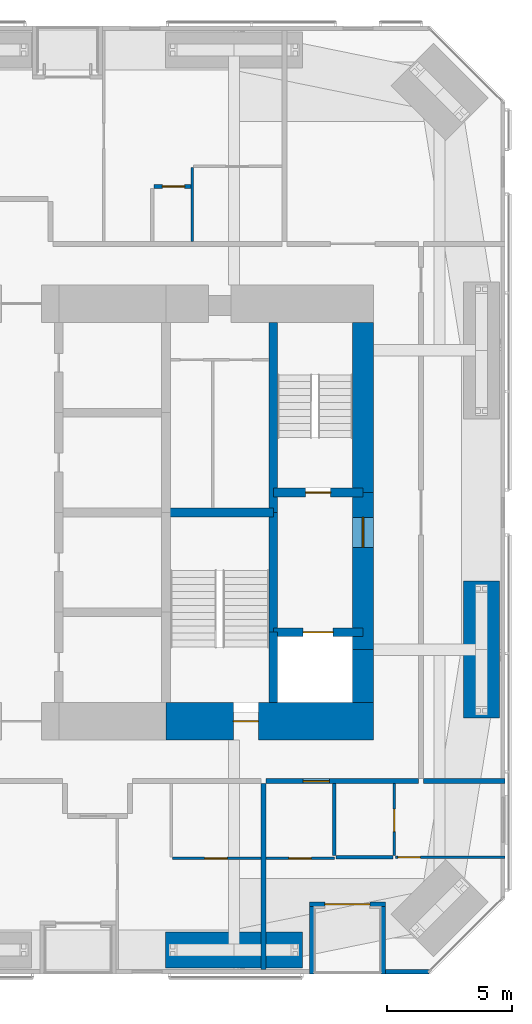
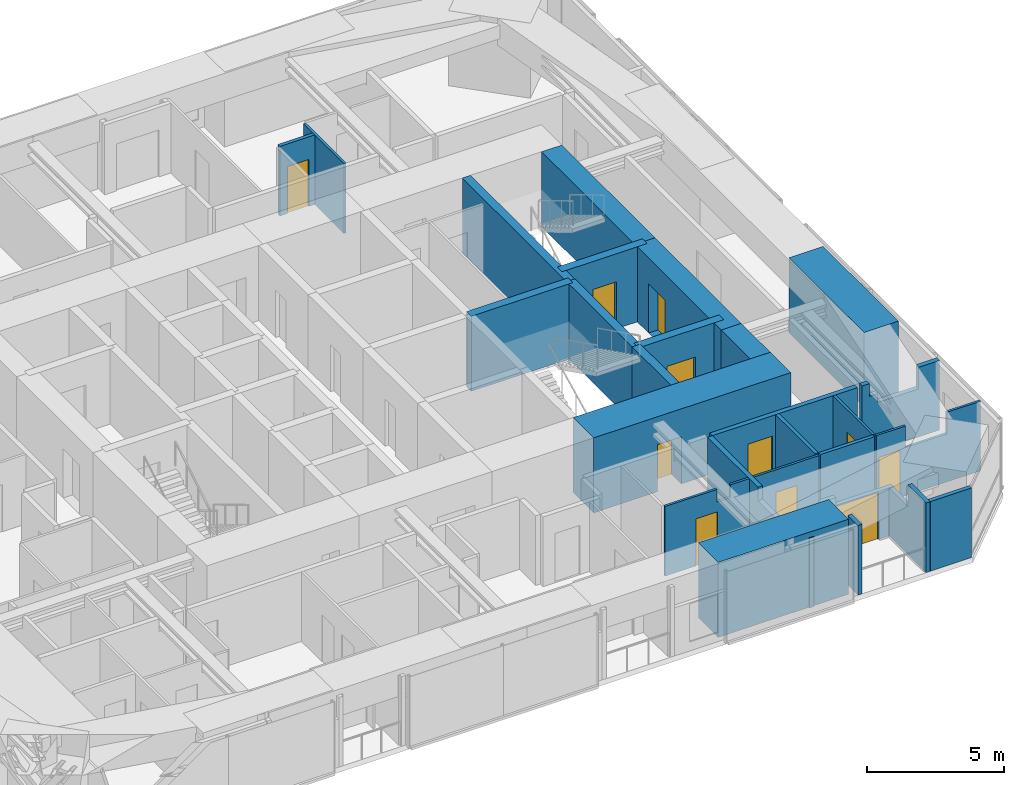
# One storey, part 20 of 23: 28 walls, 11 doors, 11 openings.
"""IFC4 building model written with IfcOpenShell, lengths in metres."""

from ifc_helpers import new_model, si_unit, direction, frame, frame_2d, origin, place, context, subcontext, project, spatial, polyline, rectangle, outline, extrude, material, layer, layer_set, constituent, constituent_set, type_object, element, fill, save


model = new_model("IFC4")

# Units and contexts
model_context = context("Model", 3, precision=1e-05, world=origin(), true_north=direction((0.0, 1.0)))
body_context = subcontext(model_context, "Body", "Model", "MODEL_VIEW")
ifc_project = project(units=[si_unit("LENGTHUNIT", "METRE"), si_unit("AREAUNIT", "SQUARE_METRE"), si_unit("VOLUMEUNIT", "CUBIC_METRE"), si_unit("PLANEANGLEUNIT", "RADIAN"), si_unit("MASSUNIT", "GRAM", prefix="KILO")], contexts=[model_context])

# Site, building, storey
site_placement = place(None, origin())
site = spatial("IfcSite", under=ifc_project, at=site_placement, CompositionType="ELEMENT")
building_placement = place(site_placement, origin())
building = spatial("IfcBuilding", under=site, at=building_placement, Name="Jalousie Tower", CompositionType="ELEMENT")
storey_placement = place(building_placement, frame((0.0, 0.0, 108.199951171875)))
storey = spatial("IfcBuildingStorey", under=building, at=storey_placement, Name="L29", CompositionType="ELEMENT", Elevation=108.199951171875)

# Walls
ifc_material_1 = material(Name="Concrete block ASTM C90", Category="concrete")
ifc_constituent_1 = constituent(ifc_material_1, Name="Body")
ifc_material_2 = material(Name="Render")
ifc_constituent_2 = constituent(ifc_material_2, Name="Finish")
ifc_constituent_set_1 = constituent_set(constituents=[ifc_constituent_1, ifc_constituent_2])
wall_type_1 = type_object("IfcWallType", Name="BATHROOM WALL 150", PredefinedType="PLUMBINGWALL", material=ifc_constituent_set_1)
wall_1_placement = place(storey_placement, frame((42.72509765625, 4.67578125, 0.0), z_axis=(0.0, 0.0, 1.0), x_axis=(1.0, 0.0, 0.0)))
element("IfcWall", 1, at=wall_1_placement, inside=storey, type_object=wall_type_1, Name="Bathroom Wall 150 L29", PredefinedType="PLUMBINGWALL", context=body_context, shape_type="SweptSolid", body=[
    extrude(rectangle(XDim=2.27490234375, YDim=0.14990234375, at=frame_2d((1.137451171875, 0.0))), origin(), (0.0, 0.0, 1.0), 3.110107421875),
])
wall_2_placement = place(storey_placement, frame((42.64990234375, 4.7509765625, 0.0), z_axis=(0.0, 0.0, 1.0), x_axis=(0.0, 1.0, 0.0)))
element("IfcWall", 2, at=wall_2_placement, inside=storey, type_object=wall_type_1, Name="Bathroom Wall 150 L29", PredefinedType="PLUMBINGWALL", context=body_context, shape_type="SweptSolid", body=[
    extrude(rectangle(XDim=2.8740234375, YDim=0.14990234375, at=frame_2d((1.43701171875, 0.0))), origin(), (0.0, 0.0, 1.0), 3.110107421875),
])

# Wall, opening, door
wall_3_placement = place(storey_placement, frame((35.425048828125, 31.574951171875, 0.0), z_axis=(0.0, 0.0, 1.0), x_axis=(1.0, 0.0, 0.0)))
wall_3 = element("IfcWall", 3, at=wall_3_placement, inside=storey, type_object=wall_type_1, Name="Bathroom Wall 150 L29", PredefinedType="PLUMBINGWALL", context=body_context, shape_type="SweptSolid", body=[
    extrude(rectangle(XDim=1.474853515625, YDim=0.14990234375, at=frame_2d((0.7373046875, 0.0))), origin(), (0.0, 0.0, 1.0), 3.110107421875),
])
opening_1_placement = place(wall_3_placement, frame((0.324951171875, 0.0, 0.0)))
opening_1 = element("IfcOpeningElement", 4, at=opening_1_placement, cuts=wall_3, Name="Opening D7", PredefinedType="OPENING", context=body_context, shape_type="SweptSolid", body=[
    extrude(rectangle(XDim=0.89990234375, YDim=2.10009765625, at=frame_2d((0.449951171875, 1.050048828125))), frame((0.0, 0.0849609375, 0.0), z_axis=(0.0, -1.0, 0.0), x_axis=(1.0, 0.0, 0.0)), (0.0, 0.0, 1.0), 0.169921875),
])
ifc_material_3 = material(Name="Timber door", Category="wood")
door_type_1 = type_object("IfcDoorType", Name="INTERNAL DOOR 900", OperationType="SINGLE_SWING_LEFT", PredefinedType="DOOR", material=ifc_material_3)
door_1_placement = place(opening_1_placement, frame((0.89990234375, 0.0, 0.0), z_axis=(0.0, 0.0, 1.0), x_axis=(-1.0, 0.0, 0.0)))
door_1 = element("IfcDoor", 5, at=door_1_placement, inside=storey, type_object=door_type_1, Name="Apartment 2904 guest WC door", OperationType="SINGLE_SWING_LEFT", OverallHeight=2.10009765625, OverallWidth=0.89990234375, PredefinedType="DOOR", context=body_context, shape_type="SweptSolid", body=[
    extrude(rectangle(XDim=0.89990234375, YDim=2.10009765625, at=frame_2d((0.449951171875, 1.050048828125))), frame((0.0, 0.02490234375, 0.0), z_axis=(0.0, -1.0, 0.0), x_axis=(1.0, 0.0, 0.0)), (0.0, 0.0, 1.0), 0.050048828125),
])
fill(opening_1, door_1)

ifc_material_4 = material(Name="Concrete f'c 120 MPa", Category="concrete")
ifc_layer_1 = layer(ifc_material_4, 1.5)
ifc_layer_set_1 = layer_set([ifc_layer_1], Name="Concrete f'c 120 MPa")
wall_type_2 = type_object("IfcWallType", Name="CORE WALL 1500", PredefinedType="SHEAR", material=ifc_layer_set_1)
wall_4_placement = place(storey_placement, frame((35.89990234375, 10.125, 0.0), z_axis=(0.0, 0.0, 1.0), x_axis=(1.0, 0.0, 0.0)))
wall_4 = element("IfcWall", 6, at=wall_4_placement, inside=storey, type_object=wall_type_2, Name="Core wall SD L29", PredefinedType="SHEAR", context=body_context, shape_type="SweptSolid", body=[
    extrude(rectangle(XDim=8.3251953125, YDim=1.5, at=frame_2d((4.16259765625, 0.0))), origin(), (0.0, 0.0, 1.0), 3.35009765625),
])
opening_2_placement = place(wall_4_placement, frame((2.699951171875, 0.0, 0.0)))
opening_2 = element("IfcOpeningElement", 7, at=opening_2_placement, cuts=wall_4, Name="Opening D10", PredefinedType="OPENING", context=body_context, shape_type="SweptSolid", body=[
    extrude(rectangle(XDim=1.0, YDim=2.10009765625, at=frame_2d((0.5, 1.050048828125))), frame((0.0, 0.760009765625, 0.0), z_axis=(0.0, -1.0, 0.0), x_axis=(1.0, 0.0, 0.0)), (0.0, 0.0, 1.0), 1.52001953125),
])
ifc_material_5 = material(Name="Steel fire door", Category="steel")
door_type_2 = type_object("IfcDoorType", Name="STAIR DOOR 1000", OperationType="SINGLE_SWING_LEFT", PredefinedType="DOOR", material=ifc_material_5)
door_2_placement = place(opening_2_placement, origin())
door_2 = element("IfcDoor", 8, at=door_2_placement, inside=storey, type_object=door_type_2, Name="Exit stair C door", OperationType="SINGLE_SWING_RIGHT", OverallHeight=2.10009765625, OverallWidth=1.0, PredefinedType="DOOR", context=body_context, shape_type="SweptSolid", body=[
    extrude(rectangle(XDim=1.0, YDim=2.10009765625, at=frame_2d((0.5, 1.050048828125))), frame((0.0, 0.02490234375, 0.0), z_axis=(0.0, -1.0, 0.0), x_axis=(1.0, 0.0, 0.0)), (0.0, 0.0, 1.0), 0.050048828125),
])
fill(opening_2, door_2)

# Walls
ifc_material_6 = material(Name="Concrete f'c 120 MPa", Category="concrete")
ifc_layer_2 = layer(ifc_material_6, 0.35009765625)
ifc_layer_set_2 = layer_set([ifc_layer_2], Name="Concrete f'c 120 MPa")
wall_type_3 = type_object("IfcWallType", Name="CORE WALL 350", PredefinedType="SHEAR", material=ifc_layer_set_2)
wall_5_placement = place(storey_placement, frame((40.199951171875, 10.875, 0.0), z_axis=(0.0, 0.0, 1.0), x_axis=(0.0, 1.0, 0.0)))
element("IfcWall", 9, at=wall_5_placement, inside=storey, type_object=wall_type_3, Name="Core wall X40.2A L29", PredefinedType="SHEAR", context=body_context, shape_type="SweptSolid", body=[
    extrude(rectangle(XDim=2.824951171875, YDim=0.35009765625, at=frame_2d((1.41259765625, 0.0))), origin(), (0.0, 0.0, 1.0), 3.35009765625),
])
wall_6_placement = place(storey_placement, frame((40.199951171875, 13.699951171875, 0.0), z_axis=(0.0, 0.0, 1.0), x_axis=(0.0, 1.0, 0.0)))
element("IfcWall", 10, at=wall_6_placement, inside=storey, type_object=wall_type_3, Name="Core wall X40.2B L29", PredefinedType="SHEAR", context=body_context, shape_type="SweptSolid", body=[
    extrude(rectangle(XDim=4.800048828125, YDim=0.35009765625, at=frame_2d((2.39990234375, 0.0))), origin(), (0.0, 0.0, 1.0), 3.35009765625),
])
wall_7_placement = place(storey_placement, frame((40.199951171875, 18.5, 0.0), z_axis=(0.0, 0.0, 1.0), x_axis=(0.0, 1.0, 0.0)))
element("IfcWall", 11, at=wall_7_placement, inside=storey, type_object=wall_type_3, Name="Core wall X40.2C L29", PredefinedType="SHEAR", context=body_context, shape_type="SweptSolid", body=[
    extrude(rectangle(XDim=7.625, YDim=0.35009765625, at=frame_2d((3.8125, 0.0))), origin(), (0.0, 0.0, 1.0), 3.35009765625),
])
wall_8_placement = place(storey_placement, frame((35.89990234375, 18.5, 0.0), z_axis=(0.0, 0.0, 1.0), x_axis=(1.0, 0.0, 0.0)))
element("IfcWall", 12, at=wall_8_placement, inside=storey, type_object=wall_type_3, Name="Core wall Y35.9-18.5 L29", PredefinedType="SHEAR", context=body_context, shape_type="SweptSolid", body=[
    extrude(rectangle(XDim=4.300048828125, YDim=0.35009765625, at=frame_2d((2.14990234375, 0.0))), origin(), (0.0, 0.0, 1.0), 3.35009765625),
])

# Wall, opening, door
wall_9_placement = place(storey_placement, frame((40.199951171875, 13.699951171875, 0.0), z_axis=(0.0, 0.0, 1.0), x_axis=(1.0, 0.0, 0.0)))
wall_9 = element("IfcWall", 13, at=wall_9_placement, inside=storey, type_object=wall_type_3, Name="Core wall Y40.2-13.7 L29", PredefinedType="SHEAR", context=body_context, shape_type="SweptSolid", body=[
    extrude(rectangle(XDim=3.60009765625, YDim=0.35009765625, at=frame_2d((1.800048828125, 0.0))), origin(), (0.0, 0.0, 1.0), 3.35009765625),
])
opening_3_placement = place(wall_9_placement, frame((1.199951171875, 0.0, 0.0)))
opening_3 = element("IfcOpeningElement", 14, at=opening_3_placement, cuts=wall_9, Name="Opening LD2", PredefinedType="OPENING", context=body_context, shape_type="SweptSolid", body=[
    extrude(rectangle(XDim=1.199951171875, YDim=2.10009765625, at=frame_2d((0.60009765625, 1.050048828125))), frame((0.0, 0.18505859375, 0.0), z_axis=(0.0, -1.0, 0.0), x_axis=(1.0, 0.0, 0.0)), (0.0, 0.0, 1.0), 0.3701171875),
])
ifc_material_7 = material(Name="Steel lift landing door", Category="steel")
door_type_3 = type_object("IfcDoorType", Name="LIFT LANDING DOOR 1200", OperationType="SLIDING_TO_LEFT", PredefinedType="DOOR", material=ifc_material_7)
door_3_placement = place(opening_3_placement, origin())
door_3 = element("IfcDoor", 15, at=door_3_placement, inside=storey, type_object=door_type_3, Name="Lift F2 landing door", OperationType="SLIDING_TO_LEFT", OverallHeight=2.10009765625, OverallWidth=1.199951171875, PredefinedType="DOOR", context=body_context, shape_type="SweptSolid", body=[
    extrude(rectangle(XDim=1.199951171875, YDim=2.10009765625, at=frame_2d((0.60009765625, 1.050048828125))), frame((0.0, 0.02490234375, 0.0), z_axis=(0.0, -1.0, 0.0), x_axis=(1.0, 0.0, 0.0)), (0.0, 0.0, 1.0), 0.050048828125),
])
fill(opening_3, door_3)

wall_10_placement = place(storey_placement, frame((40.199951171875, 19.300048828125, 0.0), z_axis=(0.0, 0.0, 1.0), x_axis=(1.0, 0.0, 0.0)))
wall_10 = element("IfcWall", 16, at=wall_10_placement, inside=storey, type_object=wall_type_3, Name="Core wall Y40.2-19.3 L29", PredefinedType="SHEAR", context=body_context, shape_type="SweptSolid", body=[
    extrude(rectangle(XDim=3.60009765625, YDim=0.35009765625, at=frame_2d((1.800048828125, 0.0))), origin(), (0.0, 0.0, 1.0), 3.35009765625),
])
opening_4_placement = place(wall_10_placement, frame((1.300048828125, 0.0, 0.0)))
opening_4 = element("IfcOpeningElement", 17, at=opening_4_placement, cuts=wall_10, Name="Opening D10", PredefinedType="OPENING", context=body_context, shape_type="SweptSolid", body=[
    extrude(rectangle(XDim=1.0, YDim=2.10009765625, at=frame_2d((0.5, 1.050048828125))), frame((0.0, 0.18505859375, 0.0), z_axis=(0.0, -1.0, 0.0), x_axis=(1.0, 0.0, 0.0)), (0.0, 0.0, 1.0), 0.3701171875),
])
door_4_placement = place(opening_4_placement, origin())
door_4 = element("IfcDoor", 18, at=door_4_placement, inside=storey, type_object=door_type_2, Name="Exit stair B door", OperationType="SINGLE_SWING_RIGHT", OverallHeight=2.10009765625, OverallWidth=1.0, PredefinedType="DOOR", context=body_context, shape_type="SweptSolid", body=[
    extrude(rectangle(XDim=1.0, YDim=2.10009765625, at=frame_2d((0.5, 1.050048828125))), frame((0.0, 0.02490234375, 0.0), z_axis=(0.0, -1.0, 0.0), x_axis=(1.0, 0.0, 0.0)), (0.0, 0.0, 1.0), 0.050048828125),
])
fill(opening_4, door_4)

# Wall
ifc_material_8 = material(Name="Concrete f'c 120 MPa", Category="concrete")
ifc_layer_3 = layer(ifc_material_8, 0.85009765625)
ifc_layer_set_3 = layer_set([ifc_layer_3], Name="Concrete f'c 120 MPa")
wall_type_4 = type_object("IfcWallType", Name="CORE WALL 850", PredefinedType="SHEAR", material=ifc_layer_set_3)
wall_11_placement = place(storey_placement, frame((43.800048828125, 10.875, 0.0), z_axis=(0.0, 0.0, 1.0), x_axis=(0.0, 1.0, 0.0)))
element("IfcWall", 19, at=wall_11_placement, inside=storey, type_object=wall_type_4, Name="Core wall EA L29", PredefinedType="SHEAR", context=body_context, shape_type="SweptSolid", body=[
    extrude(rectangle(XDim=2.125, YDim=0.85009765625, at=frame_2d((1.0625, 0.0))), origin(), (0.0, 0.0, 1.0), 3.35009765625),
])

# Wall, opening, door
wall_12_placement = place(storey_placement, frame((43.800048828125, 13.0, 0.0), z_axis=(0.0, 0.0, 1.0), x_axis=(0.0, 1.0, 0.0)))
wall_12 = element("IfcWall", 20, at=wall_12_placement, inside=storey, type_object=wall_type_4, Name="Core wall EB L29", PredefinedType="SHEAR", context=body_context, shape_type="SweptSolid", body=[
    extrude(rectangle(XDim=6.300048828125, YDim=0.85009765625, at=frame_2d((3.14990234375, 0.0))), origin(), (0.0, 0.0, 1.0), 3.35009765625),
])
opening_5_placement = place(wall_12_placement, frame((4.10009765625, 0.0, 0.0)))
opening_5 = element("IfcOpeningElement", 21, at=opening_5_placement, cuts=wall_12, Name="Opening D11", PredefinedType="OPENING", context=body_context, shape_type="SweptSolid", body=[
    extrude(rectangle(XDim=1.199951171875, YDim=2.199951171875, at=frame_2d((0.60009765625, 1.10009765625))), frame((0.0, 0.43505859375, 0.0), z_axis=(0.0, -1.0, 0.0), x_axis=(1.0, 0.0, 0.0)), (0.0, 0.0, 1.0), 0.8701171875),
])
ifc_material_9 = material(Name="Steel fire door", Category="steel")
door_type_4 = type_object("IfcDoorType", Name="FIRE DOOR 1200", OperationType="SINGLE_SWING_LEFT", PredefinedType="DOOR", material=ifc_material_9)
door_5_placement = place(opening_5_placement, origin())
door_5 = element("IfcDoor", 22, at=door_5_placement, inside=storey, type_object=door_type_4, Name="Fire-fighting lobby B door", OperationType="SINGLE_SWING_RIGHT", OverallHeight=2.199951171875, OverallWidth=1.199951171875, PredefinedType="DOOR", context=body_context, shape_type="SweptSolid", body=[
    extrude(rectangle(XDim=1.199951171875, YDim=2.199951171875, at=frame_2d((0.60009765625, 1.10009765625))), frame((0.0, 0.02490234375, 0.0), z_axis=(0.0, -1.0, 0.0), x_axis=(1.0, 0.0, 0.0)), (0.0, 0.0, 1.0), 0.050048828125),
])
fill(opening_5, door_5)

# Wall
wall_13_placement = place(storey_placement, frame((43.800048828125, 19.300048828125, 0.0), z_axis=(0.0, 0.0, 1.0), x_axis=(0.0, 1.0, 0.0)))
element("IfcWall", 23, at=wall_13_placement, inside=storey, type_object=wall_type_4, Name="Core wall EC L29", PredefinedType="SHEAR", context=body_context, shape_type="SweptSolid", body=[
    extrude(rectangle(XDim=6.824951171875, YDim=0.85009765625, at=frame_2d((3.41259765625, 0.0))), origin(), (0.0, 0.0, 1.0), 3.35009765625),
])

# Wall, opening, door
ifc_material_10 = material(Name="Concrete block ASTM C90", Category="concrete")
ifc_constituent_3 = constituent(ifc_material_10, Name="Body")
ifc_material_11 = material(Name="Render")
ifc_constituent_4 = constituent(ifc_material_11, Name="Finish")
ifc_constituent_set_2 = constituent_set(constituents=[ifc_constituent_3, ifc_constituent_4])
wall_type_5 = type_object("IfcWallType", Name="CORRIDOR WALL 200", PredefinedType="PARTITIONING", material=ifc_constituent_set_2)
wall_14_placement = place(storey_placement, frame((39.89990234375, 7.72509765625, 0.0), z_axis=(0.0, 0.0, 1.0), x_axis=(1.0, 0.0, 0.0)))
wall_14 = element("IfcWall", 24, at=wall_14_placement, inside=storey, type_object=wall_type_5, Name="Corridor Wall 200 L29", PredefinedType="PARTITIONING", context=body_context, shape_type="SweptSolid", body=[
    extrude(rectangle(XDim=6.125, YDim=0.199951171875, at=frame_2d((3.0625, 0.0))), origin(), (0.0, 0.0, 1.0), 3.110107421875),
])
opening_6_placement = place(wall_14_placement, frame((1.5, 0.0, 0.0)))
opening_6 = element("IfcOpeningElement", 25, at=opening_6_placement, cuts=wall_14, Name="Opening D1", PredefinedType="OPENING", context=body_context, shape_type="SweptSolid", body=[
    extrude(rectangle(XDim=1.050048828125, YDim=2.199951171875, at=frame_2d((0.52490234375, 1.10009765625))), frame((0.0, 0.10986328125, 0.0), z_axis=(0.0, -1.0, 0.0), x_axis=(1.0, 0.0, 0.0)), (0.0, 0.0, 1.0), 0.219970703125),
])
ifc_material_12 = material(Name="Timber fire door", Category="wood")
door_type_5 = type_object("IfcDoorType", Name="APARTMENT ENTRANCE DOOR 1050", OperationType="SINGLE_SWING_LEFT", PredefinedType="DOOR", material=ifc_material_12)
door_6_placement = place(opening_6_placement, frame((1.050048828125, 0.0, 0.0), z_axis=(0.0, 0.0, 1.0), x_axis=(-1.0, 0.0, 0.0)))
door_6 = element("IfcDoor", 26, at=door_6_placement, inside=storey, type_object=door_type_5, Name="Apartment 2903 entrance", OperationType="SINGLE_SWING_LEFT", OverallHeight=2.199951171875, OverallWidth=1.050048828125, PredefinedType="DOOR", context=body_context, shape_type="SweptSolid", body=[
    extrude(rectangle(XDim=1.050048828125, YDim=2.199951171875, at=frame_2d((0.52490234375, 1.10009765625))), frame((0.0, 0.02490234375, 0.0), z_axis=(0.0, -1.0, 0.0), x_axis=(1.0, 0.0, 0.0)), (0.0, 0.0, 1.0), 0.050048828125),
])
fill(opening_6, door_6)

# Walls
ifc_material_13 = material(Name="Concrete f'c 40 MPa", Category="concrete")
ifc_constituent_5 = constituent(ifc_material_13, Name="Body")
ifc_material_14 = material(Name="Render, pastel sea green")
ifc_constituent_6 = constituent(ifc_material_14, Name="Finish")
ifc_constituent_set_3 = constituent_set(constituents=[ifc_constituent_5, ifc_constituent_6])
wall_type_6 = type_object("IfcWallType", Name="EXTERNAL WALL 175 SEA GREEN RENDER", PredefinedType="SOLIDWALL", material=ifc_constituent_set_3)
wall_15_placement = place(storey_placement, frame((44.699951171875, 0.08740234375, 0.0), z_axis=(0.0, 0.0, 1.0), x_axis=(1.0, 0.0, 0.0)))
element("IfcWall", 27, at=wall_15_placement, inside=storey, type_object=wall_type_6, Name="External Wall 175 Sea Green Render L29", PredefinedType="SOLIDWALL", context=body_context, shape_type="SweptSolid", body=[
    extrude(rectangle(XDim=1.748779296875, YDim=0.175048828125, at=frame_2d((0.87451171875, 0.0))), origin(), (0.0, 0.0, 1.0), 3.110107421875),
])
wall_16_placement = place(storey_placement, frame((41.64990234375, 2.78759765625, 0.0), z_axis=(0.0, 0.0, 1.0), x_axis=(1.0, 0.0, 0.0)))
element("IfcWall", 28, at=wall_16_placement, inside=storey, type_object=wall_type_6, Name="External Wall 175 Sea Green Render L29-A", PredefinedType="SOLIDWALL", context=body_context, shape_type="SweptSolid", body=[
    extrude(rectangle(XDim=0.625, YDim=0.175048828125, at=frame_2d((0.3125, 0.0))), origin(), (0.0, 0.0, 1.0), 2.510009765625),
])

# Wall, opening, door
wall_17_placement = place(storey_placement, frame((42.27490234375, 2.78759765625, 0.0), z_axis=(0.0, 0.0, 1.0), x_axis=(1.0, 0.0, 0.0)))
wall_17 = element("IfcWall", 29, at=wall_17_placement, inside=storey, type_object=wall_type_6, Name="External Wall 175 Sea Green Render L29-B", PredefinedType="SOLIDWALL", context=body_context, shape_type="SweptSolid", body=[
    extrude(rectangle(XDim=2.425048828125, YDim=0.175048828125, at=frame_2d((1.21240234375, 0.0))), origin(), (0.0, 0.0, 1.0), 2.150146484375),
])
opening_7_placement = place(wall_17_placement, origin())
opening_7 = element("IfcOpeningElement", 30, at=opening_7_placement, cuts=wall_17, Name="Opening D-BAL21", PredefinedType="OPENING", context=body_context, shape_type="SweptSolid", body=[
    extrude(rectangle(XDim=1.800048828125, YDim=2.10009765625, at=frame_2d((0.89990234375, 1.050048828125))), frame((0.0, 0.097412109375, 0.0), z_axis=(0.0, -1.0, 0.0), x_axis=(1.0, 0.0, 0.0)), (0.0, 0.0, 1.0), 0.195068359375),
])
ifc_material_15 = material(Name="Aluminium frame, impact-rated glazing", Category="aluminium")
door_type_6 = type_object("IfcDoorType", Name="BALCONY DOOR 1800x2100", OperationType="SLIDING_TO_LEFT", PredefinedType="DOOR", material=ifc_material_15)
door_7_placement = place(opening_7_placement, origin())
door_7 = element("IfcDoor", 31, at=door_7_placement, inside=storey, type_object=door_type_6, Name="Apartment 2903 living and dining room loggia door", OperationType="SLIDING_TO_LEFT", OverallHeight=2.10009765625, OverallWidth=1.800048828125, PredefinedType="DOOR", context=body_context, shape_type="SweptSolid", body=[
    extrude(rectangle(XDim=1.800048828125, YDim=2.10009765625, at=frame_2d((0.89990234375, 1.050048828125))), frame((0.0, 0.02490234375, 0.0), z_axis=(0.0, -1.0, 0.0), x_axis=(1.0, 0.0, 0.0)), (0.0, 0.0, 1.0), 0.050048828125),
])
fill(opening_7, door_7)

# Walls
wall_18_placement = place(storey_placement, frame((41.737548828125, 0.0, 0.0), z_axis=(0.0, 0.0, 1.0), x_axis=(0.0, 1.0, 0.0)))
element("IfcWall", 32, at=wall_18_placement, inside=storey, type_object=wall_type_6, Name="External Wall 175 Sea Green Render L29", PredefinedType="SOLIDWALL", context=body_context, shape_type="SweptSolid", body=[
    extrude(outline(polyline([(0.0, 0.0), (2.699951171875, 0.0), (2.699951171875, 2.510009765625), (2.419189453125, 2.510009765625), (2.419189453125, 2.150146484375), (0.75048828125, 2.150146484375), (0.75048828125, 3.110107421875), (0.0, 3.110107421875), (0.0, 0.0)])), frame((0.0, 0.08740234375, 0.0), z_axis=(0.0, -1.0, 0.0), x_axis=(1.0, 0.0, 0.0)), (0.0, 0.0, 1.0), 0.175048828125),
])
wall_19_placement = place(storey_placement, frame((44.612548828125, 0.0, 0.0), z_axis=(0.0, 0.0, 1.0), x_axis=(0.0, 1.0, 0.0)))
element("IfcWall", 33, at=wall_19_placement, inside=storey, type_object=wall_type_6, Name="External Wall 175 Sea Green Render L29", PredefinedType="SOLIDWALL", context=body_context, shape_type="SweptSolid", body=[
    extrude(outline(polyline([(0.0, 0.0), (2.699951171875, 0.0), (2.699951171875, 2.150146484375), (1.3369140625, 2.150146484375), (1.3369140625, 3.110107421875), (0.0, 3.110107421875), (0.0, 0.0)])), frame((0.0, 0.08740234375, 0.0), z_axis=(0.0, -1.0, 0.0), x_axis=(1.0, 0.0, 0.0)), (0.0, 0.0, 1.0), 0.175048828125),
])

# Wall, opening, door
ifc_material_16 = material(Name="Gypsum board", Category="gypsum")
ifc_constituent_7 = constituent(ifc_material_16, Name="Body")
ifc_material_17 = material(Name="Light-gauge steel studs ASTM A653 SS Grade 33", Category="steel")
ifc_constituent_8 = constituent(ifc_material_17, Name="Framing")
ifc_constituent_set_4 = constituent_set(constituents=[ifc_constituent_7, ifc_constituent_8])
wall_type_7 = type_object("IfcWallType", Name="PARTITION 100", PredefinedType="PARTITIONING", material=ifc_constituent_set_4)
wall_20_placement = place(storey_placement, frame((36.14990234375, 4.625, 0.0), z_axis=(0.0, 0.0, 1.0), x_axis=(1.0, 0.0, 0.0)))
wall_20 = element("IfcWall", 34, at=wall_20_placement, inside=storey, type_object=wall_type_7, Name="Partition 100 L29", PredefinedType="PARTITIONING", context=body_context, shape_type="SweptSolid", body=[
    extrude(outline(polyline([(0.0, 0.0), (3.550048828125, 0.0), (3.550048828125, 3.110107421875), (2.762451171875, 3.110107421875), (2.762451171875, 2.541015625), (2.1875, 2.541015625), (2.1875, 3.110107421875), (0.0, 3.110107421875), (0.0, 0.0)])), frame((0.0, 0.050048828125, 0.0), z_axis=(0.0, -1.0, 0.0), x_axis=(1.0, 0.0, 0.0)), (0.0, 0.0, 1.0), 0.10009765625),
])
opening_8_placement = place(wall_20_placement, frame((1.300048828125, 0.0, 0.0)))
opening_8 = element("IfcOpeningElement", 35, at=opening_8_placement, cuts=wall_20, Name="Opening D7", PredefinedType="OPENING", context=body_context, shape_type="SweptSolid", body=[
    extrude(rectangle(XDim=0.89990234375, YDim=2.10009765625, at=frame_2d((0.449951171875, 1.050048828125))), frame((0.0, 0.06005859375, 0.0), z_axis=(0.0, -1.0, 0.0), x_axis=(1.0, 0.0, 0.0)), (0.0, 0.0, 1.0), 0.1201171875),
])
door_8_placement = place(opening_8_placement, frame((0.89990234375, 0.0, 0.0), z_axis=(0.0, 0.0, 1.0), x_axis=(-1.0, 0.0, 0.0)))
door_8 = element("IfcDoor", 36, at=door_8_placement, inside=storey, type_object=door_type_1, Name="Apartment 2902 kitchen door", OperationType="SINGLE_SWING_LEFT", OverallHeight=2.10009765625, OverallWidth=0.89990234375, PredefinedType="DOOR", context=body_context, shape_type="SweptSolid", body=[
    extrude(rectangle(XDim=0.89990234375, YDim=2.10009765625, at=frame_2d((0.449951171875, 1.050048828125))), frame((0.0, 0.02490234375, 0.0), z_axis=(0.0, -1.0, 0.0), x_axis=(1.0, 0.0, 0.0)), (0.0, 0.0, 1.0), 0.050048828125),
])
fill(opening_8, door_8)

wall_21_placement = place(storey_placement, frame((45.050048828125, 4.7509765625, 0.0), z_axis=(0.0, 0.0, 1.0), x_axis=(0.0, 1.0, 0.0)))
wall_21 = element("IfcWall", 37, at=wall_21_placement, inside=storey, type_object=wall_type_7, Name="Partition 100 L29", PredefinedType="PARTITIONING", context=body_context, shape_type="SweptSolid", body=[
    extrude(rectangle(XDim=2.8740234375, YDim=0.10009765625, at=frame_2d((1.43701171875, 0.0))), origin(), (0.0, 0.0, 1.0), 3.110107421875),
])
opening_9_placement = place(wall_21_placement, frame((0.949462890625, 0.0, 0.0)))
opening_9 = element("IfcOpeningElement", 38, at=opening_9_placement, cuts=wall_21, Name="Opening D3", PredefinedType="OPENING", context=body_context, shape_type="SweptSolid", body=[
    extrude(rectangle(XDim=0.89990234375, YDim=2.10009765625, at=frame_2d((0.449951171875, 1.050048828125))), frame((0.0, 0.06005859375, 0.0), z_axis=(0.0, -1.0, 0.0), x_axis=(1.0, 0.0, 0.0)), (0.0, 0.0, 1.0), 0.1201171875),
])
ifc_material_18 = material(Name="Timber door", Category="wood")
door_type_7 = type_object("IfcDoorType", Name="BATHROOM DOOR 900", OperationType="SINGLE_SWING_LEFT", PredefinedType="DOOR", material=ifc_material_18)
door_9_placement = place(opening_9_placement, origin())
door_9 = element("IfcDoor", 39, at=door_9_placement, inside=storey, type_object=door_type_7, Name="Apartment 2903 bedroom 1 bathroom door", OperationType="SINGLE_SWING_LEFT", OverallHeight=2.10009765625, OverallWidth=0.89990234375, PredefinedType="DOOR", context=body_context, shape_type="SweptSolid", body=[
    extrude(rectangle(XDim=0.89990234375, YDim=2.10009765625, at=frame_2d((0.449951171875, 1.050048828125))), frame((0.0, 0.02490234375, 0.0), z_axis=(0.0, -1.0, 0.0), x_axis=(1.0, 0.0, 0.0)), (0.0, 0.0, 1.0), 0.050048828125),
])
fill(opening_9, door_9)

wall_22_placement = place(storey_placement, frame((45.10009765625, 4.67578125, 0.0), z_axis=(0.0, 0.0, 1.0), x_axis=(1.0, 0.0, 0.0)))
wall_22 = element("IfcWall", 40, at=wall_22_placement, inside=storey, type_object=wall_type_7, Name="Partition 100 L29", PredefinedType="PARTITIONING", context=body_context, shape_type="SweptSolid", body=[
    extrude(outline(polyline([(0.0, 0.0), (4.39990234375, 0.0), (4.39990234375, 3.110107421875), (2.971435546875, 3.110107421875), (2.971435546875, 2.150146484375), (1.22900390625, 2.150146484375), (1.22900390625, 3.110107421875), (0.0, 3.110107421875), (0.0, 0.0)])), frame((0.0, 0.050048828125, 0.0), z_axis=(0.0, -1.0, 0.0), x_axis=(1.0, 0.0, 0.0)), (0.0, 0.0, 1.0), 0.10009765625),
])
opening_10_placement = place(wall_22_placement, frame((0.10009765625, 0.0, 0.0)))
opening_10 = element("IfcOpeningElement", 41, at=opening_10_placement, cuts=wall_22, Name="Opening D2", PredefinedType="OPENING", context=body_context, shape_type="SweptSolid", body=[
    extrude(rectangle(XDim=0.89990234375, YDim=2.10009765625, at=frame_2d((0.449951171875, 1.050048828125))), frame((0.0, 0.06005859375, 0.0), z_axis=(0.0, -1.0, 0.0), x_axis=(1.0, 0.0, 0.0)), (0.0, 0.0, 1.0), 0.1201171875),
])
ifc_material_19 = material(Name="Timber door", Category="wood")
door_type_8 = type_object("IfcDoorType", Name="BEDROOM DOOR 900", OperationType="SINGLE_SWING_LEFT", PredefinedType="DOOR", material=ifc_material_19)
door_10_placement = place(opening_10_placement, origin())
door_10 = element("IfcDoor", 42, at=door_10_placement, inside=storey, type_object=door_type_8, Name="Apartment 2903 bedroom 1 door", OperationType="SINGLE_SWING_LEFT", OverallHeight=2.10009765625, OverallWidth=0.89990234375, PredefinedType="DOOR", context=body_context, shape_type="SweptSolid", body=[
    extrude(rectangle(XDim=0.89990234375, YDim=2.10009765625, at=frame_2d((0.449951171875, 1.050048828125))), frame((0.0, 0.02490234375, 0.0), z_axis=(0.0, -1.0, 0.0), x_axis=(1.0, 0.0, 0.0)), (0.0, 0.0, 1.0), 0.050048828125),
])
fill(opening_10, door_10)

wall_23_placement = place(storey_placement, frame((39.89990234375, 4.625, 0.0), z_axis=(0.0, 0.0, 1.0), x_axis=(1.0, 0.0, 0.0)))
wall_23 = element("IfcWall", 43, at=wall_23_placement, inside=storey, type_object=wall_type_7, Name="Partition 100 L29", PredefinedType="PARTITIONING", context=body_context, shape_type="SweptSolid", body=[
    extrude(rectangle(XDim=2.75, YDim=0.10009765625, at=frame_2d((1.375, 0.0))), origin(), (0.0, 0.0, 1.0), 3.110107421875),
])
opening_11_placement = place(wall_23_placement, frame((0.925048828125, 0.0, 0.0)))
opening_11 = element("IfcOpeningElement", 44, at=opening_11_placement, cuts=wall_23, Name="Opening D7", PredefinedType="OPENING", context=body_context, shape_type="SweptSolid", body=[
    extrude(rectangle(XDim=0.89990234375, YDim=2.10009765625, at=frame_2d((0.449951171875, 1.050048828125))), frame((0.0, 0.06005859375, 0.0), z_axis=(0.0, -1.0, 0.0), x_axis=(1.0, 0.0, 0.0)), (0.0, 0.0, 1.0), 0.1201171875),
])
door_11_placement = place(opening_11_placement, frame((0.89990234375, 0.0, 0.0), z_axis=(0.0, 0.0, 1.0), x_axis=(-1.0, 0.0, 0.0)))
door_11 = element("IfcDoor", 45, at=door_11_placement, inside=storey, type_object=door_type_1, Name="Apartment 2903 kitchen door", OperationType="SINGLE_SWING_RIGHT", OverallHeight=2.10009765625, OverallWidth=0.89990234375, PredefinedType="DOOR", context=body_context, shape_type="SweptSolid", body=[
    extrude(rectangle(XDim=0.89990234375, YDim=2.10009765625, at=frame_2d((0.449951171875, 1.050048828125))), frame((0.0, 0.02490234375, 0.0), z_axis=(0.0, -1.0, 0.0), x_axis=(1.0, 0.0, 0.0)), (0.0, 0.0, 1.0), 0.050048828125),
])
fill(opening_11, door_11)

# Walls
wall_24_placement = place(storey_placement, frame((36.949951171875, 32.324951171875, 0.0), z_axis=(0.0, 0.0, 1.0), x_axis=(0.0, -1.0, 0.0)))
element("IfcWall", 46, at=wall_24_placement, inside=storey, type_object=wall_type_7, Name="Partition 100 L29", PredefinedType="PARTITIONING", context=body_context, shape_type="SweptSolid", body=[
    extrude(rectangle(XDim=2.949951171875, YDim=0.10009765625, at=frame_2d((1.47509765625, 0.0))), origin(), (0.0, 0.0, 1.0), 3.110107421875),
])
ifc_material_20 = material(Name="Concrete block ASTM C90", Category="concrete")
ifc_constituent_9 = constituent(ifc_material_20, Name="Body")
ifc_material_21 = material(Name="Render")
ifc_constituent_10 = constituent(ifc_material_21, Name="Finish")
ifc_constituent_set_5 = constituent_set(constituents=[ifc_constituent_9, ifc_constituent_10])
wall_type_8 = type_object("IfcWallType", Name="PARTY WALL 200", PredefinedType="PARTITIONING", material=ifc_constituent_set_5)
wall_25_placement = place(storey_placement, frame((39.800048828125, 0.175048828125, 0.0), z_axis=(0.0, 0.0, 1.0), x_axis=(0.0, 1.0, 0.0)))
element("IfcWall", 47, at=wall_25_placement, inside=storey, type_object=wall_type_8, Name="Party Wall 200 L29", PredefinedType="PARTITIONING", context=body_context, shape_type="SweptSolid", body=[
    extrude(outline(polyline([(0.0859375, 3.110107421875), (0.0, 3.110107421875), (0.0, 0.0), (0.52880859375, 0.0), (0.52880859375, 0.700927734375), (1.021240234375, 0.700927734375), (1.021240234375, 0.0), (7.449951171875, 0.0), (7.449951171875, 3.110107421875), (3.766357421875, 3.110107421875), (3.766357421875, 2.510009765625), (1.943359375, 2.510009765625), (1.943359375, 2.150146484375), (1.021240234375, 2.150146484375), (1.021240234375, 1.44921875), (0.52880859375, 1.44921875), (0.52880859375, 2.150146484375), (0.0859375, 2.150146484375), (0.0859375, 3.110107421875)])), frame((0.0, 0.10009765625, 0.0), z_axis=(0.0, -1.0, 0.0), x_axis=(1.0, 0.0, 0.0)), (0.0, 0.0, 1.0), 0.199951171875),
])
wall_26_placement = place(storey_placement, frame((46.22509765625, 7.72509765625, 0.0), z_axis=(0.0, 0.0, 1.0), x_axis=(1.0, 0.0, 0.0)))
element("IfcWall", 48, at=wall_26_placement, inside=storey, type_object=wall_type_8, Name="Party Wall 200 L29", PredefinedType="PARTITIONING", context=body_context, shape_type="SweptSolid", body=[
    extrude(outline(polyline([(0.0, 0.0), (3.27490234375, 0.0), (3.27490234375, 3.110107421875), (2.3916015625, 3.110107421875), (2.3916015625, 2.150146484375), (0.642822265625, 2.150146484375), (0.642822265625, 2.541015625), (0.30615234375, 2.541015625), (0.30615234375, 3.110107421875), (0.0, 3.110107421875), (0.0, 0.0)])), frame((0.0, 0.10009765625, 0.0), z_axis=(0.0, -1.0, 0.0), x_axis=(1.0, 0.0, 0.0)), (0.0, 0.0, 1.0), 0.199951171875),
])
ifc_material_22 = material(Name="Concrete f'c 120 MPa", Category="concrete")
ifc_layer_4 = layer(ifc_material_22, 1.449951171875)
ifc_layer_set_4 = layer_set([ifc_layer_4], Name="Concrete f'c 120 MPa")
wall_type_9 = type_object("IfcWallType", Name="RC WALL PIER 1450", PredefinedType="SHEAR", material=ifc_layer_set_4)
for number, where, z_axis, x_axis, name in (
    (49, (35.875, 0.949951171875, 0.0), (0.0, 0.0, 1.0), (1.0, 0.0, 0.0), "Wall pier 04 L29"),
    (50, (48.550048828125, 10.25, 0.0), (0.0, 0.0, 1.0), (0.0, 1.0, 0.0), "Wall pier 06 L29"),
):
    element("IfcWall", number, at=place(storey_placement, frame(where, z_axis=z_axis, x_axis=x_axis)), inside=storey, type_object=wall_type_9, Name=name, PredefinedType="SHEAR", context=body_context, shape_type="SweptSolid", body=[
        extrude(rectangle(XDim=5.5, YDim=1.449951171875, at=frame_2d((2.75, 0.0))), origin(), (0.0, 0.0, 1.0), 3.35009765625),
    ])

save(model, "model.ifc")
